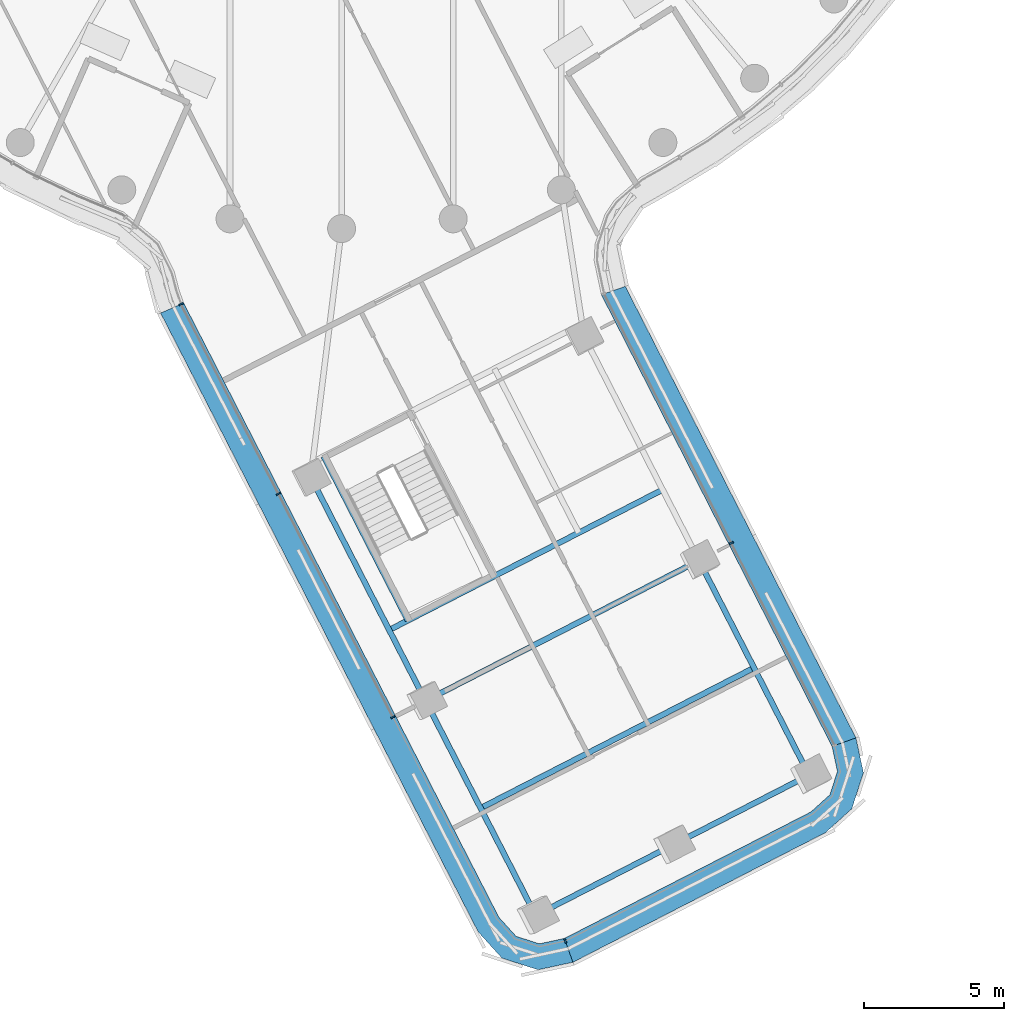
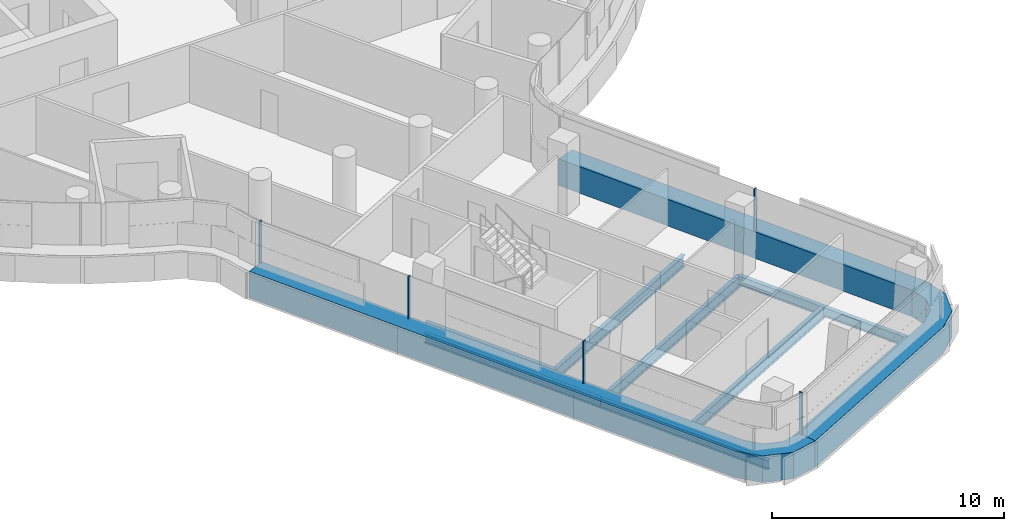
# One storey, part 3 of 37: 9 beams, 8 members, 3 elements without a shape of their own.
"""IFC4 building model written with IfcOpenShell, lengths in metres."""

from ifc_helpers import new_model, si_unit, direction, frame, origin, origin_2d, place, context, subcontext, project, spatial, polyline, rectangle, i_section, outline, extrude, material, layer, layer_set, material_profile, profile_set, type_object, element, aggregate, save


model = new_model("IFC4")

# Units and contexts
model_context = context("Model", 3, precision=1e-05, world=origin(), true_north=direction((0.0, 1.0)))
body_context = subcontext(model_context, "Body", "Model", "MODEL_VIEW")
ifc_project = project(units=[si_unit("LENGTHUNIT", "METRE"), si_unit("AREAUNIT", "SQUARE_METRE"), si_unit("VOLUMEUNIT", "CUBIC_METRE"), si_unit("PLANEANGLEUNIT", "RADIAN"), si_unit("MASSUNIT", "GRAM", prefix="KILO")], contexts=[model_context])

# Site, building, storey
site_placement = place(None, origin())
site = spatial("IfcSite", under=ifc_project, at=site_placement, CompositionType="ELEMENT")
building_placement = place(site_placement, origin())
building = spatial("IfcBuilding", under=site, at=building_placement, Name="Tamarind Cross Interchange Tower", CompositionType="ELEMENT")
storey_placement = place(building_placement, frame((0.0, 0.0, 133.0)))
storey = spatial("IfcBuildingStorey", under=building, at=storey_placement, Name="L32", CompositionType="ELEMENT", Elevation=133.0)

# Beams
ifc_material_1 = material(Name="Steel Q355B", Category="steel")
ifc_material_profile_1 = material_profile(ifc_material_1, i_section(OverallWidth=0.198974609375, OverallDepth=0.49609375, WebThickness=0.009033203125, FlangeThickness=0.013916015625, FilletRadius=0.012939453125, at=origin_2d()), Name="HN 496x199x9x14")
ifc_profile_set_1 = profile_set([ifc_material_profile_1], Name="Steel Q355B")
beam_type_1 = type_object("IfcBeamType", Name="Composite beam HN 496x199x9x14 Q355B", PredefinedType="BEAM", material=ifc_profile_set_1)
beam_1_placement = place(storey_placement, frame((6.946044921875, -47.58251953125, -0.387939453125), z_axis=(-0.456556652888, 0.88969434229, 0.0), x_axis=(-0.88969434229, -0.456556652888, 0.0)))
element("IfcBeam", 1, at=beam_1_placement, inside=storey, type_object=beam_type_1, Name="Beam S-edgeem5", PredefinedType="BEAM", context=body_context, shape_type="SweptSolid", body=[
    extrude(i_section(OverallWidth=0.198974609375, OverallDepth=0.49609375, WebThickness=0.009033203125, FlangeThickness=0.013916015625, FilletRadius=0.012939453125, at=origin_2d()), origin(), (0.0, 0.0, 1.0), 8.6318359375),
])
beam_2_placement = place(storey_placement, frame((3.005126953125, -39.90283203125, -0.387939453125), z_axis=(-0.456563902144, 0.889690622216, 0.0), x_axis=(-0.889690622216, -0.456563902144, 0.0)))
element("IfcBeam", 2, at=beam_2_placement, inside=storey, type_object=beam_type_1, Name="Beam S-edgeem6", PredefinedType="BEAM", context=body_context, shape_type="SweptSolid", body=[
    extrude(i_section(OverallWidth=0.198974609375, OverallDepth=0.49609375, WebThickness=0.009033203125, FlangeThickness=0.013916015625, FilletRadius=0.012939453125, at=origin_2d()), origin(), (0.0, 0.0, 1.0), 9.000244140625),
])
beam_3_placement = place(storey_placement, frame((16.732666015625, -42.560546875, -0.387939453125), z_axis=(-0.456545164388, 0.88970023765, 0.0), x_axis=(-0.88970023765, -0.456545164388, 0.0)))
element("IfcBeam", 3, at=beam_3_placement, inside=storey, type_object=beam_type_1, Name="Beam S-edgeep2", PredefinedType="BEAM", context=body_context, shape_type="SweptSolid", body=[
    extrude(i_section(OverallWidth=0.198974609375, OverallDepth=0.49609375, WebThickness=0.009033203125, FlangeThickness=0.013916015625, FilletRadius=0.012939453125, at=origin_2d()), origin(), (0.0, 0.0, 1.0), 8.632080078125),
])
beam_4_placement = place(storey_placement, frame((-0.64208984375, -31.15283203125, -0.387939453125), z_axis=(0.456555452073, -0.889694958501, 0.0), x_axis=(0.889694958501, 0.456555452073, 0.0)))
element("IfcBeam", 4, at=beam_4_placement, inside=storey, type_object=beam_type_1, Name="Beam S-tr0", PredefinedType="BEAM", context=body_context, shape_type="SweptSolid", body=[
    extrude(i_section(OverallWidth=0.198974609375, OverallDepth=0.49609375, WebThickness=0.009033203125, FlangeThickness=0.013916015625, FilletRadius=0.012939453125, at=origin_2d()), origin(), (0.0, 0.0, 1.0), 6.599853515625),
])
ifc_material_profile_2 = material_profile(ifc_material_1, i_section(OverallWidth=0.199951171875, OverallDepth=0.60009765625, WebThickness=0.010986328125, FlangeThickness=0.01708984375, FilletRadius=0.012939453125, at=origin_2d()), Name="HN 600x200x11x17")
ifc_profile_set_2 = profile_set([ifc_material_profile_2], Name="Steel Q355B")
beam_type_2 = type_object("IfcBeamType", Name="Composite beam HN 600x200x11x17 Q355B", PredefinedType="BEAM", material=ifc_profile_set_2)
for number, where, z_axis, x_axis, name in (
    (5, (6.946044921875, -47.58251953125, -0.43994140625), (0.889699584797, 0.456546436643, 0.0), (-0.456546436643, 0.889699584797, 0.0), "Beam S-tip0"),
    (6, (11.83935546875, -45.071533203125, -0.43994140625), (0.889699584797, 0.456546436643, 0.0), (-0.456546436643, 0.889699584797, 0.0), "Beam S-tip1"),
):
    element("IfcBeam", number, at=place(storey_placement, frame(where, z_axis=z_axis, x_axis=x_axis)), inside=storey, type_object=beam_type_2, Name=name, PredefinedType="BEAM", context=body_context, shape_type="SweptSolid", body=[
        extrude(i_section(OverallWidth=0.199951171875, OverallDepth=0.60009765625, WebThickness=0.010986328125, FlangeThickness=0.01708984375, FilletRadius=0.012939453125, at=origin_2d()), origin(), (0.0, 0.0, 1.0), 5.5),
    ])
for number, where, z_axis, x_axis, name in (
    (7, (1.703857421875, -37.3671875, -0.43994140625), (0.889690569439, 0.456564004988, 0.0), (-0.456564004988, 0.889690569439, 0.0), "Beam S-x364"),
    (8, (3.005126953125, -39.90283203125, -0.43994140625), (0.889690569439, 0.456564004988, 0.0), (-0.456564004988, 0.889690569439, 0.0), "Beam S-x393"),
    (9, (4.9755859375, -43.74267578125, -0.43994140625), (0.889699584797, 0.456546436643, 0.0), (-0.456546436643, 0.889699584797, 0.0), "Beam S-x436"),
):
    element("IfcBeam", number, at=place(storey_placement, frame(where, z_axis=z_axis, x_axis=x_axis)), inside=storey, type_object=beam_type_2, Name=name, PredefinedType="BEAM", context=body_context, shape_type="SweptSolid", body=[
        extrude(i_section(OverallWidth=0.199951171875, OverallDepth=0.60009765625, WebThickness=0.010986328125, FlangeThickness=0.01708984375, FilletRadius=0.012939453125, at=origin_2d()), origin(), (0.0, 0.0, 1.0), 11.0),
    ])

# Curtain wall, member
ifc_material_2 = material(Name="Aluminium 6063-T6", Category="aluminium")
ifc_layer = layer(ifc_material_2, 0.159912109375)
ifc_layer_set = layer_set([ifc_layer], Name="Aluminium 6063-T6")
curtain_wall_type = type_object("IfcCurtainWallType", Name="Office curtain wall, 9.0 m bays", PredefinedType="NOTDEFINED", material=ifc_layer_set)
curtain_wall_1_placement = place(storey_placement, origin())
curtain_wall_1 = element("IfcCurtainWall", 10, at=curtain_wall_1_placement, inside=storey, type_object=curtain_wall_type, Name="CWS-L32-03", PredefinedType="NOTDEFINED")
ifc_material_3 = material(Name="Aluminium and insulated spandrel panel", Category="aluminium")
member_type_1 = type_object("IfcMemberType", Name="Floor-edge blade transom", PredefinedType="USERDEFINED", material=ifc_material_3)
member_1_placement = place(storey_placement, origin())
member_1 = element("IfcMember", 11, at=member_1_placement, type_object=member_type_1, Name="CWT-L32-03", ObjectType="TRANSOM", PredefinedType="USERDEFINED", context=body_context, shape_type="SweptSolid", body=[
    extrude(outline(polyline([(-5.6513671875, -25.662109375), (5.632080078125, -47.650390625), (6.24658203125, -48.3291015625), (7.078857421875, -48.596923828125), (7.973876953125, -48.404052734375), (8.279296875, -49.2587890625), (7.032958984375, -49.52734375), (5.7412109375, -49.11181640625), (4.88525390625, -48.166748046875), (-6.47900390625, -26.0205078125), (-5.6513671875, -25.662109375)])), origin(), (0.0, 0.0, 1.0), 1.39990234375),
])

curtain_wall_2_placement = place(storey_placement, origin())
curtain_wall_2 = element("IfcCurtainWall", 12, at=curtain_wall_2_placement, inside=storey, type_object=curtain_wall_type, Name="CWS-L32-04", PredefinedType="NOTDEFINED")
member_2_placement = place(storey_placement, origin())
member_2 = element("IfcMember", 13, at=member_2_placement, type_object=member_type_1, Name="CWT-L32-04", ObjectType="TRANSOM", PredefinedType="USERDEFINED", context=body_context, shape_type="SweptSolid", body=[
    extrude(outline(polyline([(7.973876953125, -48.404052734375), (16.800537109375, -43.87451171875), (17.47900390625, -43.260009765625), (17.746826171875, -42.427490234375), (17.553955078125, -41.532470703125), (18.408935546875, -41.227783203125), (18.677490234375, -42.4736328125), (18.261962890625, -43.76513671875), (17.31689453125, -44.62109375), (8.279296875, -49.2587890625), (7.973876953125, -48.404052734375)])), origin(), (0.0, 0.0, 1.0), 1.39990234375),
])

curtain_wall_3_placement = place(storey_placement, origin())
curtain_wall_3 = element("IfcCurtainWall", 14, at=curtain_wall_3_placement, inside=storey, type_object=curtain_wall_type, Name="CWS-L32-05", PredefinedType="NOTDEFINED")
member_3_placement = place(storey_placement, origin())
member_3 = element("IfcMember", 15, at=member_3_placement, type_object=member_type_1, Name="CWT-L32-05", ObjectType="TRANSOM", PredefinedType="USERDEFINED", context=body_context, shape_type="SweptSolid", body=[
    extrude(outline(polyline([(17.553955078125, -41.532470703125), (9.29833984375, -25.368408203125), (10.154052734375, -25.065185546875), (18.408935546875, -41.227783203125), (17.553955078125, -41.532470703125)])), origin(), (0.0, 0.0, 1.0), 1.39990234375),
])

# Member
ifc_material_profile_3 = material_profile(ifc_material_2, rectangle(XDim=0.06005859375, YDim=0.159912109375, at=origin_2d()), Name="Mullion CW1")
ifc_profile_set_3 = profile_set([ifc_material_profile_3], Name="Aluminium 6063-T6")
member_type_2 = type_object("IfcMemberType", Name="Mullion CW1", PredefinedType="MULLION", material=ifc_profile_set_3)
member_4_placement = place(storey_placement, frame((-5.743408203125, -25.701904296875, 1.39990234375), z_axis=(0.0, 0.0, 1.0), x_axis=(0.397384941414, -0.9176520083, 0.0)))
member_4 = element("IfcMember", 16, at=member_4_placement, type_object=member_type_2, Name="CWM-L32-03-00", PredefinedType="MULLION", context=body_context, shape_type="SweptSolid", body=[
    extrude(rectangle(XDim=0.06005859375, YDim=0.159912109375, at=origin_2d()), origin(), (0.0, 0.0, 1.0), 2.210205078125),
])

member_5_placement = place(storey_placement, frame((-2.26025390625, -32.48974609375, 1.39990234375), z_axis=(0.0, 0.0, 1.0), x_axis=(0.456551422638, -0.889697026233, 0.0)))
member_5 = element("IfcMember", 17, at=member_5_placement, type_object=member_type_2, Name="CWM-L32-03-01", PredefinedType="MULLION", context=body_context, shape_type="SweptSolid", body=[
    extrude(rectangle(XDim=0.06005859375, YDim=0.159912109375, at=origin_2d()), origin(), (0.0, 0.0, 1.0), 2.210205078125),
])

member_6_placement = place(storey_placement, frame((1.84228515625, -40.484375, 1.39990234375), z_axis=(0.0, 0.0, 1.0), x_axis=(0.456551422638, -0.889697026233, 0.0)))
member_6 = element("IfcMember", 18, at=member_6_placement, type_object=member_type_2, Name="CWM-L32-03-02", PredefinedType="MULLION", context=body_context, shape_type="SweptSolid", body=[
    extrude(rectangle(XDim=0.06005859375, YDim=0.159912109375, at=origin_2d()), origin(), (0.0, 0.0, 1.0), 2.210205078125),
])

aggregate(curtain_wall_1, [member_4, member_5, member_6, member_1])

member_7_placement = place(storey_placement, frame((8.0078125, -48.4990234375, 1.39990234375), z_axis=(0.0, 0.0, 1.0), x_axis=(0.941677463588, 0.336516796863, 0.0)))
member_7 = element("IfcMember", 19, at=member_7_placement, type_object=member_type_2, Name="CWM-L32-04-00", PredefinedType="MULLION", context=body_context, shape_type="SweptSolid", body=[
    extrude(rectangle(XDim=0.06005859375, YDim=0.159912109375, at=origin_2d()), origin(), (0.0, 0.0, 1.0), 2.210205078125),
])

aggregate(curtain_wall_2, [member_7, member_2])

member_8_placement = place(storey_placement, frame((13.949951171875, -34.25634765625, 1.39990234375), z_axis=(0.0, 0.0, 1.0), x_axis=(-0.454846512766, 0.890569845562, 0.0)))
member_8 = element("IfcMember", 20, at=member_8_placement, type_object=member_type_2, Name="CWM-L32-05-01", PredefinedType="MULLION", context=body_context, shape_type="SweptSolid", body=[
    extrude(rectangle(XDim=0.06005859375, YDim=0.159912109375, at=origin_2d()), origin(), (0.0, 0.0, 1.0), 2.210205078125),
])

aggregate(curtain_wall_3, [member_8, member_3])

save(model, "model.ifc")
